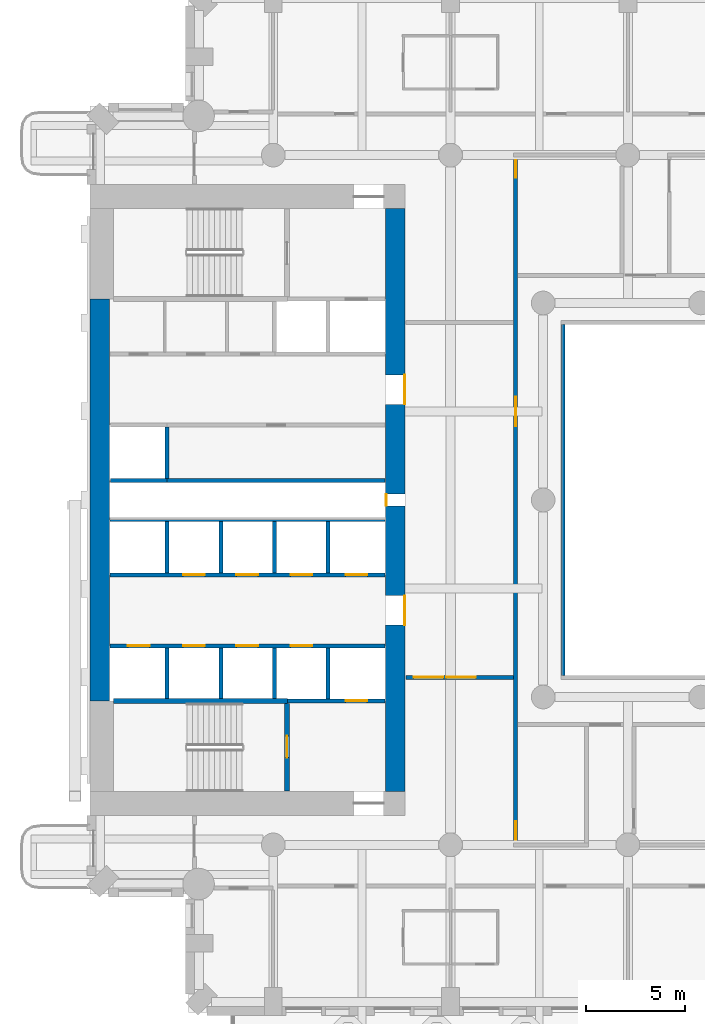
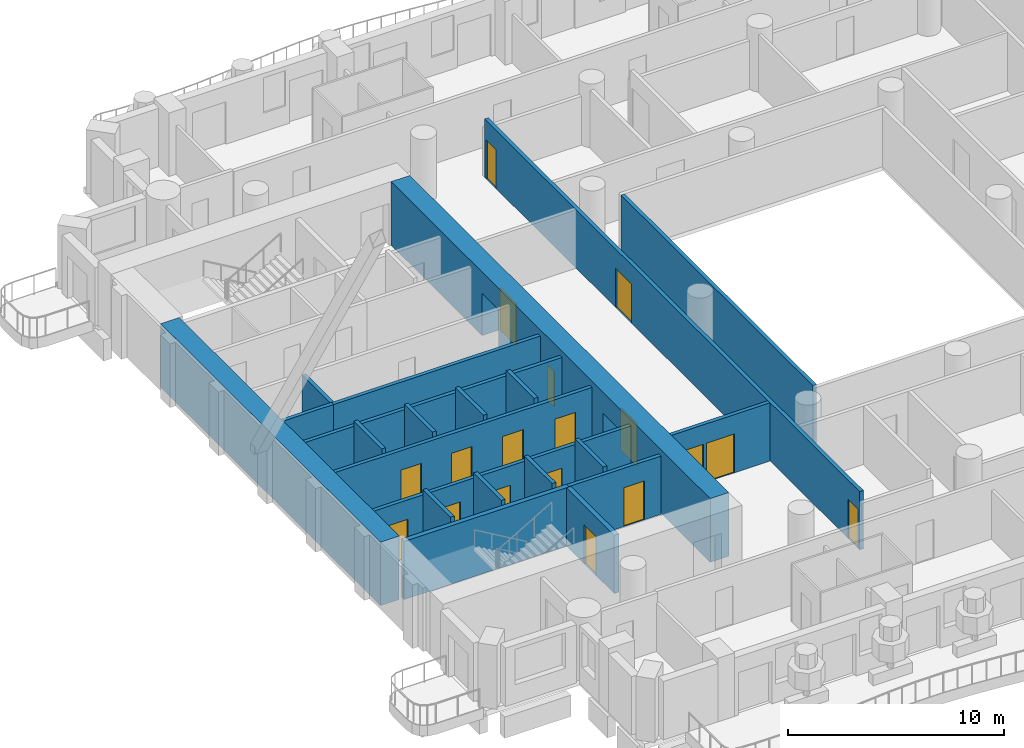
# One storey, part 4 of 20: 22 walls, 18 doors, 18 openings.
"""IFC4 building model written with IfcOpenShell, lengths in metres."""

from ifc_helpers import new_model, si_unit, direction, frame, frame_2d, origin, place, context, subcontext, project, spatial, rectangle, extrude, material, layer, layer_set, type_object, element, fill, save


model = new_model("IFC4")

# Units and contexts
model_context = context("Model", 3, precision=1e-05, world=origin(), true_north=direction((0.0, 1.0)))
body_context = subcontext(model_context, "Body", "Model", "MODEL_VIEW")
ifc_project = project(units=[si_unit("LENGTHUNIT", "METRE"), si_unit("AREAUNIT", "SQUARE_METRE"), si_unit("VOLUMEUNIT", "CUBIC_METRE"), si_unit("PLANEANGLEUNIT", "RADIAN"), si_unit("MASSUNIT", "GRAM", prefix="KILO")], contexts=[model_context])

# Site, building, storey
site_placement = place(None, origin())
site = spatial("IfcSite", under=ifc_project, at=site_placement, CompositionType="ELEMENT")
building_placement = place(site_placement, origin())
building = spatial("IfcBuilding", under=site, at=building_placement, Name="Cypress Arch Tower", CompositionType="ELEMENT")
storey_placement = place(building_placement, frame((0.0, 0.0, 73.5)))
storey = spatial("IfcBuildingStorey", under=building, at=storey_placement, Name="L12", CompositionType="ELEMENT", Elevation=73.5)

# Wall, openings, doors
ifc_material_1 = material(Name="Concrete C80/95", Category="concrete")
ifc_layer_1 = layer(ifc_material_1, 1.0)
ifc_layer_set_1 = layer_set([ifc_layer_1], Name="Core wall CW1000 C80/95")
wall_type_1 = type_object("IfcWallType", Name="Core wall CW1000 C80/95", PredefinedType="SHEAR", material=ifc_layer_set_1)
wall_1_placement = place(storey_placement, frame((-14.5, -14.800048828125, 0.0), z_axis=(0.0, 0.0, 1.0), x_axis=(0.0, 1.0, 0.0)))
wall_1 = element("IfcWall", 1, at=wall_1_placement, inside=storey, type_object=wall_type_1, Name="Core wall", PredefinedType="SHEAR", context=body_context, shape_type="SweptSolid", body=[
    extrude(rectangle(XDim=29.60009765625, YDim=1.0, at=frame_2d((14.800048828125, 0.0))), origin(), (0.0, 0.0, 1.0), 3.60009765625),
])
opening_1_placement = place(wall_1_placement, frame((8.449951171875, 0.0, 0.0)))
opening_1 = element("IfcOpeningElement", 2, at=opening_1_placement, cuts=wall_1, Name="Opening D07", PredefinedType="OPENING", context=body_context, shape_type="SweptSolid", body=[
    extrude(rectangle(XDim=1.5, YDim=2.39990234375, at=frame_2d((0.75, 1.199951171875))), frame((0.0, 0.510009765625, 0.0), z_axis=(0.0, -1.0, 0.0), x_axis=(1.0, 0.0, 0.0)), (0.0, 0.0, 1.0), 1.02001953125),
])
opening_2_placement = place(wall_1_placement, frame((19.64990234375, 0.0, 0.0)))
opening_2 = element("IfcOpeningElement", 3, at=opening_2_placement, cuts=wall_1, Name="Opening D07", PredefinedType="OPENING", context=body_context, shape_type="SweptSolid", body=[
    extrude(rectangle(XDim=1.5, YDim=2.39990234375, at=frame_2d((0.75, 1.199951171875))), frame((0.0, 0.510009765625, 0.0), z_axis=(0.0, -1.0, 0.0), x_axis=(1.0, 0.0, 0.0)), (0.0, 0.0, 1.0), 1.02001953125),
])
opening_3_placement = place(wall_1_placement, frame((14.5, 0.0, 0.0)))
opening_3 = element("IfcOpeningElement", 4, at=opening_3_placement, cuts=wall_1, Name="Opening D08", PredefinedType="OPENING", context=body_context, shape_type="SweptSolid", body=[
    extrude(rectangle(XDim=0.60009765625, YDim=2.0, at=frame_2d((0.300048828125, 1.0))), frame((0.0, 0.510009765625, 0.0), z_axis=(0.0, -1.0, 0.0), x_axis=(1.0, 0.0, 0.0)), (0.0, 0.0, 1.0), 1.02001953125),
])
ifc_material_2 = material(Name="Steel framed glazed door, fire resisting", Category="steel")
door_type_1 = type_object("IfcDoorType", Name="Lobby door D07 1500x2400", OperationType="DOUBLE_DOOR_SINGLE_SWING", PredefinedType="DOOR", material=ifc_material_2)
door_1_placement = place(opening_1_placement, origin())
door_1 = element("IfcDoor", 5, at=door_1_placement, inside=storey, type_object=door_type_1, Name="Lobby door", OperationType="DOUBLE_DOOR_SINGLE_SWING", OverallHeight=2.39990234375, OverallWidth=1.5, PredefinedType="DOOR", context=body_context, shape_type="SweptSolid", body=[
    extrude(rectangle(XDim=1.5, YDim=2.39990234375, at=frame_2d((0.75, 1.199951171875))), frame((0.0, -0.44482421875, 0.0), z_axis=(0.0, -1.0, 0.0), x_axis=(1.0, 0.0, 0.0)), (0.0, 0.0, 1.0), 0.050048828125),
])
fill(opening_1, door_1)
door_2_placement = place(opening_2_placement, origin())
door_2 = element("IfcDoor", 6, at=door_2_placement, inside=storey, type_object=door_type_1, Name="Lobby door", OperationType="DOUBLE_DOOR_SINGLE_SWING", OverallHeight=2.39990234375, OverallWidth=1.5, PredefinedType="DOOR", context=body_context, shape_type="SweptSolid", body=[
    extrude(rectangle(XDim=1.5, YDim=2.39990234375, at=frame_2d((0.75, 1.199951171875))), frame((0.0, -0.44482421875, 0.0), z_axis=(0.0, -1.0, 0.0), x_axis=(1.0, 0.0, 0.0)), (0.0, 0.0, 1.0), 0.050048828125),
])
fill(opening_2, door_2)
ifc_material_3 = material(Name="Steel access door, fire resisting", Category="steel")
door_type_2 = type_object("IfcDoorType", Name="Riser access door D08 600x2000", OperationType="SINGLE_SWING_LEFT", PredefinedType="DOOR", material=ifc_material_3)
door_3_placement = place(opening_3_placement, origin())
door_3 = element("IfcDoor", 7, at=door_3_placement, inside=storey, type_object=door_type_2, Name="Riser access door", OperationType="SINGLE_SWING_RIGHT", OverallHeight=2.0, OverallWidth=0.60009765625, PredefinedType="DOOR", context=body_context, shape_type="SweptSolid", body=[
    extrude(rectangle(XDim=0.60009765625, YDim=2.0, at=frame_2d((0.300048828125, 1.0))), frame((0.0, 0.4951171875, 0.0), z_axis=(0.0, -1.0, 0.0), x_axis=(1.0, 0.0, 0.0)), (0.0, 0.0, 1.0), 0.050048828125),
])
fill(opening_3, door_3)

# Wall
wall_2_placement = place(storey_placement, frame((-29.5, -10.199951171875, 0.0), z_axis=(0.0, 0.0, 1.0), x_axis=(0.0, 1.0, 0.0)))
element("IfcWall", 8, at=wall_2_placement, inside=storey, type_object=wall_type_1, Name="Core wall", PredefinedType="SHEAR", context=body_context, shape_type="SweptSolid", body=[
    extrude(rectangle(XDim=20.39990234375, YDim=1.0, at=frame_2d((10.199951171875, 0.0))), origin(), (0.0, 0.0, 1.0), 3.60009765625),
])

# Wall, openings, doors
ifc_material_4 = material(Name="Concrete blockwork, plastered, rated", Category="masonry")
ifc_layer_2 = layer(ifc_material_4, 0.199951171875)
ifc_layer_set_2 = layer_set([ifc_layer_2], Name="Corridor wall FW200")
wall_type_2 = type_object("IfcWallType", Name="Corridor wall FW200", PredefinedType="PARTITIONING", material=ifc_layer_set_2)
wall_3_placement = place(storey_placement, frame((-13.969970703125, -9.0, 0.0), z_axis=(0.0, 0.0, 1.0), x_axis=(1.0, 0.0, 0.0)))
wall_3 = element("IfcWall", 9, at=wall_3_placement, inside=storey, type_object=wall_type_2, Name="Corridor wall", PredefinedType="PARTITIONING", context=body_context, shape_type="SweptSolid", body=[
    extrude(rectangle(XDim=5.469970703125, YDim=0.199951171875, at=frame_2d((2.73486328125, 0.0))), origin(), (0.0, 0.0, 1.0), 3.300048828125),
])
opening_4_placement = place(wall_3_placement, frame((0.39990234375, 0.0, 0.0)))
opening_4 = element("IfcOpeningElement", 10, at=opening_4_placement, cuts=wall_3, Name="Opening D04", PredefinedType="OPENING", context=body_context, shape_type="SweptSolid", body=[
    extrude(rectangle(XDim=1.5, YDim=2.199951171875, at=frame_2d((0.75, 1.10009765625))), frame((0.0, 0.10986328125, 0.0), z_axis=(0.0, -1.0, 0.0), x_axis=(1.0, 0.0, 0.0)), (0.0, 0.0, 1.0), 0.219970703125),
])
opening_5_placement = place(wall_3_placement, frame((2.050048828125, 0.0, 0.0)))
opening_5 = element("IfcOpeningElement", 11, at=opening_5_placement, cuts=wall_3, Name="Opening D04", PredefinedType="OPENING", context=body_context, shape_type="SweptSolid", body=[
    extrude(rectangle(XDim=1.5, YDim=2.199951171875, at=frame_2d((0.75, 1.10009765625))), frame((0.0, 0.10986328125, 0.0), z_axis=(0.0, -1.0, 0.0), x_axis=(1.0, 0.0, 0.0)), (0.0, 0.0, 1.0), 0.219970703125),
])
ifc_material_5 = material(Name="Timber double door", Category="wood")
door_type_3 = type_object("IfcDoorType", Name="Double door D04 1500x2200", OperationType="DOUBLE_DOOR_SINGLE_SWING", PredefinedType="DOOR", material=ifc_material_5)
door_4_placement = place(opening_4_placement, origin())
door_4 = element("IfcDoor", 12, at=door_4_placement, inside=storey, type_object=door_type_3, Name="Double door", OperationType="DOUBLE_DOOR_SINGLE_SWING", OverallHeight=2.199951171875, OverallWidth=1.5, PredefinedType="DOOR", context=body_context, shape_type="SweptSolid", body=[
    extrude(rectangle(XDim=1.5, YDim=2.199951171875, at=frame_2d((0.75, 1.10009765625))), frame((0.0, 0.02490234375, 0.0), z_axis=(0.0, -1.0, 0.0), x_axis=(1.0, 0.0, 0.0)), (0.0, 0.0, 1.0), 0.050048828125),
])
fill(opening_4, door_4)
door_5_placement = place(opening_5_placement, origin())
door_5 = element("IfcDoor", 13, at=door_5_placement, inside=storey, type_object=door_type_3, Name="Double door", OperationType="DOUBLE_DOOR_SINGLE_SWING", OverallHeight=2.199951171875, OverallWidth=1.5, PredefinedType="DOOR", context=body_context, shape_type="SweptSolid", body=[
    extrude(rectangle(XDim=1.5, YDim=2.199951171875, at=frame_2d((0.75, 1.10009765625))), frame((0.0, 0.02490234375, 0.0), z_axis=(0.0, -1.0, 0.0), x_axis=(1.0, 0.0, 0.0)), (0.0, 0.0, 1.0), 0.050048828125),
])
fill(opening_5, door_5)

wall_4_placement = place(storey_placement, frame((-8.39990234375, -17.39990234375, 0.0), z_axis=(0.0, 0.0, 1.0), x_axis=(0.0, 1.0, 0.0)))
wall_4 = element("IfcWall", 14, at=wall_4_placement, inside=storey, type_object=wall_type_2, Name="Corridor wall", PredefinedType="PARTITIONING", context=body_context, shape_type="SweptSolid", body=[
    extrude(rectangle(XDim=34.7998046875, YDim=0.199951171875, at=frame_2d((17.39990234375, 0.0))), origin(), (0.0, 0.0, 1.0), 3.300048828125),
])
opening_6_placement = place(wall_4_placement, frame((21.14990234375, 0.0, 0.0)))
opening_6 = element("IfcOpeningElement", 15, at=opening_6_placement, cuts=wall_4, Name="Opening D04", PredefinedType="OPENING", context=body_context, shape_type="SweptSolid", body=[
    extrude(rectangle(XDim=1.5, YDim=2.199951171875, at=frame_2d((0.75, 1.10009765625))), frame((0.0, 0.10986328125, 0.0), z_axis=(0.0, -1.0, 0.0), x_axis=(1.0, 0.0, 0.0)), (0.0, 0.0, 1.0), 0.219970703125),
])
opening_7_placement = place(wall_4_placement, frame((33.75, 0.0, 0.0)))
opening_7 = element("IfcOpeningElement", 16, at=opening_7_placement, cuts=wall_4, Name="Opening D05", PredefinedType="OPENING", context=body_context, shape_type="SweptSolid", body=[
    extrude(rectangle(XDim=0.89990234375, YDim=2.199951171875, at=frame_2d((0.449951171875, 1.10009765625))), frame((0.0, 0.10986328125, 0.0), z_axis=(0.0, -1.0, 0.0), x_axis=(1.0, 0.0, 0.0)), (0.0, 0.0, 1.0), 0.219970703125),
])
opening_8_placement = place(wall_4_placement, frame((0.14990234375, 0.0, 0.0)))
opening_8 = element("IfcOpeningElement", 17, at=opening_8_placement, cuts=wall_4, Name="Opening D02", PredefinedType="OPENING", context=body_context, shape_type="SweptSolid", body=[
    extrude(rectangle(XDim=0.949951171875, YDim=2.199951171875, at=frame_2d((0.47509765625, 1.10009765625))), frame((0.0, 0.10986328125, 0.0), z_axis=(0.0, -1.0, 0.0), x_axis=(1.0, 0.0, 0.0)), (0.0, 0.0, 1.0), 0.219970703125),
])
door_6_placement = place(opening_6_placement, origin())
door_6 = element("IfcDoor", 18, at=door_6_placement, inside=storey, type_object=door_type_3, Name="Double door", OperationType="DOUBLE_DOOR_SINGLE_SWING", OverallHeight=2.199951171875, OverallWidth=1.5, PredefinedType="DOOR", context=body_context, shape_type="SweptSolid", body=[
    extrude(rectangle(XDim=1.5, YDim=2.199951171875, at=frame_2d((0.75, 1.10009765625))), frame((0.0, 0.02490234375, 0.0), z_axis=(0.0, -1.0, 0.0), x_axis=(1.0, 0.0, 0.0)), (0.0, 0.0, 1.0), 0.050048828125),
])
fill(opening_6, door_6)
ifc_material_6 = material(Name="Timber flush door, fire resisting", Category="wood")
door_type_4 = type_object("IfcDoorType", Name="Room door D02 950x2200", OperationType="SINGLE_SWING_LEFT", PredefinedType="DOOR", material=ifc_material_6)
door_7_placement = place(opening_8_placement, origin())
door_7 = element("IfcDoor", 19, at=door_7_placement, inside=storey, type_object=door_type_4, Name="Room door", OperationType="SINGLE_SWING_RIGHT", OverallHeight=2.199951171875, OverallWidth=0.949951171875, PredefinedType="DOOR", context=body_context, shape_type="SweptSolid", body=[
    extrude(rectangle(XDim=0.949951171875, YDim=2.199951171875, at=frame_2d((0.47509765625, 1.10009765625))), frame((0.0, 0.02490234375, 0.0), z_axis=(0.0, -1.0, 0.0), x_axis=(1.0, 0.0, 0.0)), (0.0, 0.0, 1.0), 0.050048828125),
])
fill(opening_8, door_7)
ifc_material_7 = material(Name="Timber flush door", Category="wood")
door_type_5 = type_object("IfcDoorType", Name="Service door D05 900x2200", OperationType="SINGLE_SWING_LEFT", PredefinedType="DOOR", material=ifc_material_7)
door_8_placement = place(opening_7_placement, origin())
door_8 = element("IfcDoor", 20, at=door_8_placement, inside=storey, type_object=door_type_5, Name="Service door", OperationType="SINGLE_SWING_LEFT", OverallHeight=2.199951171875, OverallWidth=0.89990234375, PredefinedType="DOOR", context=body_context, shape_type="SweptSolid", body=[
    extrude(rectangle(XDim=0.89990234375, YDim=2.199951171875, at=frame_2d((0.449951171875, 1.10009765625))), frame((0.0, 0.02490234375, 0.0), z_axis=(0.0, -1.0, 0.0), x_axis=(1.0, 0.0, 0.0)), (0.0, 0.0, 1.0), 0.050048828125),
])
fill(opening_7, door_8)

# Walls
wall_5_placement = place(storey_placement, frame((-6.0, -8.89990234375, 0.0), z_axis=(0.0, 0.0, 1.0), x_axis=(0.0, 1.0, 0.0)))
element("IfcWall", 21, at=wall_5_placement, inside=storey, type_object=wall_type_2, Name="Corridor wall", PredefinedType="PARTITIONING", context=body_context, shape_type="SweptSolid", body=[
    extrude(rectangle(XDim=17.7998046875, YDim=0.199951171875, at=frame_2d((8.89990234375, 0.0))), origin(), (0.0, 0.0, 1.0), 3.300048828125),
])
ifc_material_8 = material(Name="Reinforced blockwork, plastered, rated", Category="masonry")
ifc_layer_3 = layer(ifc_material_8, 0.199951171875)
ifc_layer_set_3 = layer_set([ifc_layer_3], Name="Plant and riser wall PL200")
wall_type_3 = type_object("IfcWallType", Name="Plant and riser wall PL200", PredefinedType="PARTITIONING", material=ifc_layer_set_3)
wall_6_placement = place(storey_placement, frame((-26.10009765625, 1.0, 0.0), z_axis=(0.0, 0.0, 1.0), x_axis=(1.0, 0.0, 0.0)))
element("IfcWall", 22, at=wall_6_placement, inside=storey, type_object=wall_type_3, Name="Plant and riser wall", PredefinedType="PARTITIONING", context=body_context, shape_type="SweptSolid", body=[
    extrude(rectangle(XDim=11.070068359375, YDim=0.199951171875, at=frame_2d((5.53515625, 0.0))), origin(), (0.0, 0.0, 1.0), 3.300048828125),
])

# Wall, openings, doors
ifc_material_9 = material(Name="Concrete C50/60", Category="concrete")
ifc_layer_4 = layer(ifc_material_9, 0.199951171875)
ifc_layer_set_4 = layer_set([ifc_layer_4], Name="Shaft wall SH200")
wall_type_4 = type_object("IfcWallType", Name="Shaft wall SH200", PredefinedType="SHEAR", material=ifc_layer_set_4)
wall_7_placement = place(storey_placement, frame((-28.969970703125, -7.39990234375, 0.0), z_axis=(0.0, 0.0, 1.0), x_axis=(1.0, 0.0, 0.0)))
wall_7 = element("IfcWall", 23, at=wall_7_placement, inside=storey, type_object=wall_type_4, Name="Shaft wall", PredefinedType="SHEAR", context=body_context, shape_type="SweptSolid", body=[
    extrude(rectangle(XDim=13.93994140625, YDim=0.199951171875, at=frame_2d((6.969970703125, 0.0))), origin(), (0.0, 0.0, 1.0), 3.300048828125),
])
opening_9_placement = place(wall_7_placement, frame((0.89990234375, 0.0, 0.0)))
opening_9 = element("IfcOpeningElement", 24, at=opening_9_placement, cuts=wall_7, Name="Opening LD-LR1", PredefinedType="OPENING", context=body_context, shape_type="SweptSolid", body=[
    extrude(rectangle(XDim=1.10009765625, YDim=2.199951171875, at=frame_2d((0.550048828125, 1.10009765625))), frame((0.0, 0.10986328125, 0.0), z_axis=(0.0, -1.0, 0.0), x_axis=(1.0, 0.0, 0.0)), (0.0, 0.0, 1.0), 0.219970703125),
])
opening_10_placement = place(wall_7_placement, frame((3.699951171875, 0.0, 0.0)))
opening_10 = element("IfcOpeningElement", 25, at=opening_10_placement, cuts=wall_7, Name="Opening LD-LR2", PredefinedType="OPENING", context=body_context, shape_type="SweptSolid", body=[
    extrude(rectangle(XDim=1.10009765625, YDim=2.199951171875, at=frame_2d((0.550048828125, 1.10009765625))), frame((0.0, 0.10986328125, 0.0), z_axis=(0.0, -1.0, 0.0), x_axis=(1.0, 0.0, 0.0)), (0.0, 0.0, 1.0), 0.219970703125),
])
opening_11_placement = place(wall_7_placement, frame((6.39990234375, 0.0, 0.0)))
opening_11 = element("IfcOpeningElement", 26, at=opening_11_placement, cuts=wall_7, Name="Opening LD-LR3", PredefinedType="OPENING", context=body_context, shape_type="SweptSolid", body=[
    extrude(rectangle(XDim=1.10009765625, YDim=2.199951171875, at=frame_2d((0.550048828125, 1.10009765625))), frame((0.0, 0.10986328125, 0.0), z_axis=(0.0, -1.0, 0.0), x_axis=(1.0, 0.0, 0.0)), (0.0, 0.0, 1.0), 0.219970703125),
])
opening_12_placement = place(wall_7_placement, frame((9.14990234375, 0.0, 0.0)))
opening_12 = element("IfcOpeningElement", 27, at=opening_12_placement, cuts=wall_7, Name="Opening LD-LR4", PredefinedType="OPENING", context=body_context, shape_type="SweptSolid", body=[
    extrude(rectangle(XDim=1.10009765625, YDim=2.199951171875, at=frame_2d((0.550048828125, 1.10009765625))), frame((0.0, 0.10986328125, 0.0), z_axis=(0.0, -1.0, 0.0), x_axis=(1.0, 0.0, 0.0)), (0.0, 0.0, 1.0), 0.219970703125),
])
ifc_material_10 = material(Name="Stainless steel centre-opening landing door, rated", Category="steel")
door_type_6 = type_object("IfcDoorType", Name="Lift landing door LD 1100x2200", OperationType="DOUBLE_DOOR_SLIDING", PredefinedType="DOOR", material=ifc_material_10)
door_9_placement = place(opening_9_placement, origin())
door_9 = element("IfcDoor", 28, at=door_9_placement, inside=storey, type_object=door_type_6, Name="Lift landing doors LR1", OperationType="DOUBLE_DOOR_SLIDING", OverallHeight=2.199951171875, OverallWidth=1.10009765625, PredefinedType="DOOR", context=body_context, shape_type="SweptSolid", body=[
    extrude(rectangle(XDim=1.10009765625, YDim=2.199951171875, at=frame_2d((0.550048828125, 1.10009765625))), frame((0.0, 0.02490234375, 0.0), z_axis=(0.0, -1.0, 0.0), x_axis=(1.0, 0.0, 0.0)), (0.0, 0.0, 1.0), 0.050048828125),
])
fill(opening_9, door_9)
door_10_placement = place(opening_10_placement, origin())
door_10 = element("IfcDoor", 29, at=door_10_placement, inside=storey, type_object=door_type_6, Name="Lift landing doors LR2", OperationType="DOUBLE_DOOR_SLIDING", OverallHeight=2.199951171875, OverallWidth=1.10009765625, PredefinedType="DOOR", context=body_context, shape_type="SweptSolid", body=[
    extrude(rectangle(XDim=1.10009765625, YDim=2.199951171875, at=frame_2d((0.550048828125, 1.10009765625))), frame((0.0, 0.02490234375, 0.0), z_axis=(0.0, -1.0, 0.0), x_axis=(1.0, 0.0, 0.0)), (0.0, 0.0, 1.0), 0.050048828125),
])
fill(opening_10, door_10)
door_11_placement = place(opening_11_placement, origin())
door_11 = element("IfcDoor", 30, at=door_11_placement, inside=storey, type_object=door_type_6, Name="Lift landing doors LR3", OperationType="DOUBLE_DOOR_SLIDING", OverallHeight=2.199951171875, OverallWidth=1.10009765625, PredefinedType="DOOR", context=body_context, shape_type="SweptSolid", body=[
    extrude(rectangle(XDim=1.10009765625, YDim=2.199951171875, at=frame_2d((0.550048828125, 1.10009765625))), frame((0.0, 0.02490234375, 0.0), z_axis=(0.0, -1.0, 0.0), x_axis=(1.0, 0.0, 0.0)), (0.0, 0.0, 1.0), 0.050048828125),
])
fill(opening_11, door_11)
door_12_placement = place(opening_12_placement, origin())
door_12 = element("IfcDoor", 31, at=door_12_placement, inside=storey, type_object=door_type_6, Name="Lift landing doors LR4", OperationType="DOUBLE_DOOR_SLIDING", OverallHeight=2.199951171875, OverallWidth=1.10009765625, PredefinedType="DOOR", context=body_context, shape_type="SweptSolid", body=[
    extrude(rectangle(XDim=1.10009765625, YDim=2.199951171875, at=frame_2d((0.550048828125, 1.10009765625))), frame((0.0, 0.02490234375, 0.0), z_axis=(0.0, -1.0, 0.0), x_axis=(1.0, 0.0, 0.0)), (0.0, 0.0, 1.0), 0.050048828125),
])
fill(opening_12, door_12)

wall_8_placement = place(storey_placement, frame((-28.969970703125, -3.800048828125, 0.0), z_axis=(0.0, 0.0, 1.0), x_axis=(1.0, 0.0, 0.0)))
wall_8 = element("IfcWall", 32, at=wall_8_placement, inside=storey, type_object=wall_type_4, Name="Shaft wall", PredefinedType="SHEAR", context=body_context, shape_type="SweptSolid", body=[
    extrude(rectangle(XDim=13.93994140625, YDim=0.199951171875, at=frame_2d((6.969970703125, 0.0))), origin(), (0.0, 0.0, 1.0), 3.300048828125),
])
opening_13_placement = place(wall_8_placement, frame((3.699951171875, 0.0, 0.0)))
opening_13 = element("IfcOpeningElement", 33, at=opening_13_placement, cuts=wall_8, Name="Opening LD-LR5", PredefinedType="OPENING", context=body_context, shape_type="SweptSolid", body=[
    extrude(rectangle(XDim=1.10009765625, YDim=2.199951171875, at=frame_2d((0.550048828125, 1.10009765625))), frame((0.0, 0.10986328125, 0.0), z_axis=(0.0, -1.0, 0.0), x_axis=(1.0, 0.0, 0.0)), (0.0, 0.0, 1.0), 0.219970703125),
])
opening_14_placement = place(wall_8_placement, frame((6.39990234375, 0.0, 0.0)))
opening_14 = element("IfcOpeningElement", 34, at=opening_14_placement, cuts=wall_8, Name="Opening LD-LR6", PredefinedType="OPENING", context=body_context, shape_type="SweptSolid", body=[
    extrude(rectangle(XDim=1.10009765625, YDim=2.199951171875, at=frame_2d((0.550048828125, 1.10009765625))), frame((0.0, 0.10986328125, 0.0), z_axis=(0.0, -1.0, 0.0), x_axis=(1.0, 0.0, 0.0)), (0.0, 0.0, 1.0), 0.219970703125),
])
opening_15_placement = place(wall_8_placement, frame((9.14990234375, 0.0, 0.0)))
opening_15 = element("IfcOpeningElement", 35, at=opening_15_placement, cuts=wall_8, Name="Opening LD-LR7", PredefinedType="OPENING", context=body_context, shape_type="SweptSolid", body=[
    extrude(rectangle(XDim=1.10009765625, YDim=2.199951171875, at=frame_2d((0.550048828125, 1.10009765625))), frame((0.0, 0.10986328125, 0.0), z_axis=(0.0, -1.0, 0.0), x_axis=(1.0, 0.0, 0.0)), (0.0, 0.0, 1.0), 0.219970703125),
])
opening_16_placement = place(wall_8_placement, frame((11.949951171875, 0.0, 0.0)))
opening_16 = element("IfcOpeningElement", 36, at=opening_16_placement, cuts=wall_8, Name="Opening LD-LR8", PredefinedType="OPENING", context=body_context, shape_type="SweptSolid", body=[
    extrude(rectangle(XDim=1.10009765625, YDim=2.199951171875, at=frame_2d((0.550048828125, 1.10009765625))), frame((0.0, 0.10986328125, 0.0), z_axis=(0.0, -1.0, 0.0), x_axis=(1.0, 0.0, 0.0)), (0.0, 0.0, 1.0), 0.219970703125),
])
door_13_placement = place(opening_13_placement, origin())
door_13 = element("IfcDoor", 37, at=door_13_placement, inside=storey, type_object=door_type_6, Name="Lift landing doors LR5", OperationType="DOUBLE_DOOR_SLIDING", OverallHeight=2.199951171875, OverallWidth=1.10009765625, PredefinedType="DOOR", context=body_context, shape_type="SweptSolid", body=[
    extrude(rectangle(XDim=1.10009765625, YDim=2.199951171875, at=frame_2d((0.550048828125, 1.10009765625))), frame((0.0, 0.02490234375, 0.0), z_axis=(0.0, -1.0, 0.0), x_axis=(1.0, 0.0, 0.0)), (0.0, 0.0, 1.0), 0.050048828125),
])
fill(opening_13, door_13)
door_14_placement = place(opening_14_placement, origin())
door_14 = element("IfcDoor", 38, at=door_14_placement, inside=storey, type_object=door_type_6, Name="Lift landing doors LR6", OperationType="DOUBLE_DOOR_SLIDING", OverallHeight=2.199951171875, OverallWidth=1.10009765625, PredefinedType="DOOR", context=body_context, shape_type="SweptSolid", body=[
    extrude(rectangle(XDim=1.10009765625, YDim=2.199951171875, at=frame_2d((0.550048828125, 1.10009765625))), frame((0.0, 0.02490234375, 0.0), z_axis=(0.0, -1.0, 0.0), x_axis=(1.0, 0.0, 0.0)), (0.0, 0.0, 1.0), 0.050048828125),
])
fill(opening_14, door_14)
door_15_placement = place(opening_15_placement, origin())
door_15 = element("IfcDoor", 39, at=door_15_placement, inside=storey, type_object=door_type_6, Name="Lift landing doors LR7", OperationType="DOUBLE_DOOR_SLIDING", OverallHeight=2.199951171875, OverallWidth=1.10009765625, PredefinedType="DOOR", context=body_context, shape_type="SweptSolid", body=[
    extrude(rectangle(XDim=1.10009765625, YDim=2.199951171875, at=frame_2d((0.550048828125, 1.10009765625))), frame((0.0, 0.02490234375, 0.0), z_axis=(0.0, -1.0, 0.0), x_axis=(1.0, 0.0, 0.0)), (0.0, 0.0, 1.0), 0.050048828125),
])
fill(opening_15, door_15)
door_16_placement = place(opening_16_placement, origin())
door_16 = element("IfcDoor", 40, at=door_16_placement, inside=storey, type_object=door_type_6, Name="Lift landing doors LR8", OperationType="DOUBLE_DOOR_SLIDING", OverallHeight=2.199951171875, OverallWidth=1.10009765625, PredefinedType="DOOR", context=body_context, shape_type="SweptSolid", body=[
    extrude(rectangle(XDim=1.10009765625, YDim=2.199951171875, at=frame_2d((0.550048828125, 1.10009765625))), frame((0.0, 0.02490234375, 0.0), z_axis=(0.0, -1.0, 0.0), x_axis=(1.0, 0.0, 0.0)), (0.0, 0.0, 1.0), 0.050048828125),
])
fill(opening_16, door_16)

# Walls
wall_9_placement = place(storey_placement, frame((-28.969970703125, -1.0, 0.0), z_axis=(0.0, 0.0, 1.0), x_axis=(1.0, 0.0, 0.0)))
element("IfcWall", 41, at=wall_9_placement, inside=storey, type_object=wall_type_4, Name="Shaft wall", PredefinedType="SHEAR", context=body_context, shape_type="SweptSolid", body=[
    extrude(rectangle(XDim=13.93994140625, YDim=0.199951171875, at=frame_2d((6.969970703125, 0.0))), origin(), (0.0, 0.0, 1.0), 3.300048828125),
])
wall_10_placement = place(storey_placement, frame((-28.969970703125, 1.0, 0.0), z_axis=(0.0, 0.0, 1.0), x_axis=(1.0, 0.0, 0.0)))
element("IfcWall", 42, at=wall_10_placement, inside=storey, type_object=wall_type_4, Name="Shaft wall", PredefinedType="SHEAR", context=body_context, shape_type="SweptSolid", body=[
    extrude(rectangle(XDim=2.869873046875, YDim=0.199951171875, at=frame_2d((1.43505859375, 0.0))), origin(), (0.0, 0.0, 1.0), 3.300048828125),
])
wall_11_placement = place(storey_placement, frame((-26.080078125, -10.074951171875, 0.0), z_axis=(0.0, 0.0, 1.0), x_axis=(0.0, 1.0, 0.0)))
element("IfcWall", 43, at=wall_11_placement, inside=storey, type_object=wall_type_4, Name="Shaft wall", PredefinedType="SHEAR", context=body_context, shape_type="SweptSolid", body=[
    extrude(rectangle(XDim=2.574951171875, YDim=0.199951171875, at=frame_2d((1.28759765625, 0.0))), origin(), (0.0, 0.0, 1.0), 3.60009765625),
])
wall_12_placement = place(storey_placement, frame((-26.080078125, -3.699951171875, 0.0), z_axis=(0.0, 0.0, 1.0), x_axis=(0.0, 1.0, 0.0)))
element("IfcWall", 44, at=wall_12_placement, inside=storey, type_object=wall_type_4, Name="Shaft wall", PredefinedType="SHEAR", context=body_context, shape_type="SweptSolid", body=[
    extrude(rectangle(XDim=2.599853515625, YDim=0.199951171875, at=frame_2d((1.2998046875, 0.0))), origin(), (0.0, 0.0, 1.0), 3.60009765625),
])
wall_13_placement = place(storey_placement, frame((-26.080078125, 1.10009765625, 0.0), z_axis=(0.0, 0.0, 1.0), x_axis=(0.0, 1.0, 0.0)))
element("IfcWall", 45, at=wall_13_placement, inside=storey, type_object=wall_type_4, Name="Shaft wall", PredefinedType="SHEAR", context=body_context, shape_type="SweptSolid", body=[
    extrude(rectangle(XDim=2.599853515625, YDim=0.199951171875, at=frame_2d((1.2998046875, 0.0))), origin(), (0.0, 0.0, 1.0), 3.300048828125),
])
wall_14_placement = place(storey_placement, frame((-23.360107421875, -10.074951171875, 0.0), z_axis=(0.0, 0.0, 1.0), x_axis=(0.0, 1.0, 0.0)))
element("IfcWall", 46, at=wall_14_placement, inside=storey, type_object=wall_type_4, Name="Shaft wall", PredefinedType="SHEAR", context=body_context, shape_type="SweptSolid", body=[
    extrude(rectangle(XDim=2.574951171875, YDim=0.199951171875, at=frame_2d((1.28759765625, 0.0))), origin(), (0.0, 0.0, 1.0), 3.60009765625),
])
wall_15_placement = place(storey_placement, frame((-23.360107421875, -3.699951171875, 0.0), z_axis=(0.0, 0.0, 1.0), x_axis=(0.0, 1.0, 0.0)))
element("IfcWall", 47, at=wall_15_placement, inside=storey, type_object=wall_type_4, Name="Shaft wall", PredefinedType="SHEAR", context=body_context, shape_type="SweptSolid", body=[
    extrude(rectangle(XDim=2.599853515625, YDim=0.199951171875, at=frame_2d((1.2998046875, 0.0))), origin(), (0.0, 0.0, 1.0), 3.60009765625),
])
wall_16_placement = place(storey_placement, frame((-20.639892578125, -10.074951171875, 0.0), z_axis=(0.0, 0.0, 1.0), x_axis=(0.0, 1.0, 0.0)))
element("IfcWall", 48, at=wall_16_placement, inside=storey, type_object=wall_type_4, Name="Shaft wall", PredefinedType="SHEAR", context=body_context, shape_type="SweptSolid", body=[
    extrude(rectangle(XDim=2.574951171875, YDim=0.199951171875, at=frame_2d((1.28759765625, 0.0))), origin(), (0.0, 0.0, 1.0), 3.60009765625),
])
wall_17_placement = place(storey_placement, frame((-20.639892578125, -3.699951171875, 0.0), z_axis=(0.0, 0.0, 1.0), x_axis=(0.0, 1.0, 0.0)))
element("IfcWall", 49, at=wall_17_placement, inside=storey, type_object=wall_type_4, Name="Shaft wall", PredefinedType="SHEAR", context=body_context, shape_type="SweptSolid", body=[
    extrude(rectangle(XDim=2.599853515625, YDim=0.199951171875, at=frame_2d((1.2998046875, 0.0))), origin(), (0.0, 0.0, 1.0), 3.60009765625),
])

# Wall, opening, door
wall_18_placement = place(storey_placement, frame((-19.97998046875, -10.199951171875, 0.0), z_axis=(0.0, 0.0, 1.0), x_axis=(1.0, 0.0, 0.0)))
wall_18 = element("IfcWall", 50, at=wall_18_placement, inside=storey, type_object=wall_type_4, Name="Shaft wall", PredefinedType="SHEAR", context=body_context, shape_type="SweptSolid", body=[
    extrude(rectangle(XDim=4.949951171875, YDim=0.199951171875, at=frame_2d((2.47509765625, 0.0))), origin(), (0.0, 0.0, 1.0), 3.300048828125),
])
opening_17_placement = place(wall_18_placement, frame((2.949951171875, 0.0, 0.0)))
opening_17 = element("IfcOpeningElement", 51, at=opening_17_placement, cuts=wall_18, Name="Opening LD-FL1", PredefinedType="OPENING", context=body_context, shape_type="SweptSolid", body=[
    extrude(rectangle(XDim=1.10009765625, YDim=2.199951171875, at=frame_2d((0.550048828125, 1.10009765625))), frame((0.0, 0.10986328125, 0.0), z_axis=(0.0, -1.0, 0.0), x_axis=(1.0, 0.0, 0.0)), (0.0, 0.0, 1.0), 0.219970703125),
])
door_17_placement = place(opening_17_placement, origin())
door_17 = element("IfcDoor", 52, at=door_17_placement, inside=storey, type_object=door_type_6, Name="Lift landing doors FL1", OperationType="DOUBLE_DOOR_SLIDING", OverallHeight=2.199951171875, OverallWidth=1.10009765625, PredefinedType="DOOR", context=body_context, shape_type="SweptSolid", body=[
    extrude(rectangle(XDim=1.10009765625, YDim=2.199951171875, at=frame_2d((0.550048828125, 1.10009765625))), frame((0.0, 0.02490234375, 0.0), z_axis=(0.0, -1.0, 0.0), x_axis=(1.0, 0.0, 0.0)), (0.0, 0.0, 1.0), 0.050048828125),
])
fill(opening_17, door_17)

# Walls
wall_19_placement = place(storey_placement, frame((-17.919921875, -10.10009765625, 0.0), z_axis=(0.0, 0.0, 1.0), x_axis=(0.0, 1.0, 0.0)))
element("IfcWall", 53, at=wall_19_placement, inside=storey, type_object=wall_type_4, Name="Shaft wall", PredefinedType="SHEAR", context=body_context, shape_type="SweptSolid", body=[
    extrude(rectangle(XDim=2.60009765625, YDim=0.199951171875, at=frame_2d((1.300048828125, 0.0))), origin(), (0.0, 0.0, 1.0), 3.60009765625),
])
wall_20_placement = place(storey_placement, frame((-17.919921875, -3.699951171875, 0.0), z_axis=(0.0, 0.0, 1.0), x_axis=(0.0, 1.0, 0.0)))
element("IfcWall", 54, at=wall_20_placement, inside=storey, type_object=wall_type_4, Name="Shaft wall", PredefinedType="SHEAR", context=body_context, shape_type="SweptSolid", body=[
    extrude(rectangle(XDim=2.599853515625, YDim=0.199951171875, at=frame_2d((1.2998046875, 0.0))), origin(), (0.0, 0.0, 1.0), 3.60009765625),
])
ifc_material_11 = material(Name="Concrete C50/60", Category="concrete")
ifc_layer_5 = layer(ifc_material_11, 0.25)
ifc_layer_set_5 = layer_set([ifc_layer_5], Name="Stair enclosure wall SW250")
wall_type_5 = type_object("IfcWallType", Name="Stair enclosure wall SW250", PredefinedType="SHEAR", material=ifc_layer_set_5)
wall_21_placement = place(storey_placement, frame((-28.81005859375, -10.199951171875, 0.0), z_axis=(0.0, 0.0, 1.0), x_axis=(1.0, 0.0, 0.0)))
element("IfcWall", 55, at=wall_21_placement, inside=storey, type_object=wall_type_5, Name="Stair enclosure wall", PredefinedType="SHEAR", context=body_context, shape_type="SweptSolid", body=[
    extrude(rectangle(XDim=8.830078125, YDim=0.25, at=frame_2d((4.4150390625, 0.0))), origin(), (0.0, 0.0, 1.0), 3.300048828125),
])

# Wall, opening, door
wall_22_placement = place(storey_placement, frame((-20.0, -14.77001953125, 0.0), z_axis=(0.0, 0.0, 1.0), x_axis=(0.0, 1.0, 0.0)))
wall_22 = element("IfcWall", 56, at=wall_22_placement, inside=storey, type_object=wall_type_5, Name="Stair enclosure wall", PredefinedType="SHEAR", context=body_context, shape_type="SweptSolid", body=[
    extrude(rectangle(XDim=4.445068359375, YDim=0.25, at=frame_2d((2.22265625, 0.0))), origin(), (0.0, 0.0, 1.0), 3.300048828125),
])
opening_18_placement = place(wall_22_placement, frame((1.699951171875, 0.0, 0.0)))
opening_18 = element("IfcOpeningElement", 57, at=opening_18_placement, cuts=wall_22, Name="Opening D06", PredefinedType="OPENING", context=body_context, shape_type="SweptSolid", body=[
    extrude(rectangle(XDim=1.10009765625, YDim=2.199951171875, at=frame_2d((0.550048828125, 1.10009765625))), frame((0.0, 0.135009765625, 0.0), z_axis=(0.0, -1.0, 0.0), x_axis=(1.0, 0.0, 0.0)), (0.0, 0.0, 1.0), 0.27001953125),
])
ifc_material_12 = material(Name="Steel door, fire resisting, panic bar", Category="steel")
door_type_7 = type_object("IfcDoorType", Name="Stair door D06 1100x2200", OperationType="SINGLE_SWING_LEFT", PredefinedType="DOOR", material=ifc_material_12)
door_18_placement = place(opening_18_placement, origin())
door_18 = element("IfcDoor", 58, at=door_18_placement, inside=storey, type_object=door_type_7, Name="Stair door", OperationType="SINGLE_SWING_RIGHT", OverallHeight=2.199951171875, OverallWidth=1.10009765625, PredefinedType="DOOR", context=body_context, shape_type="SweptSolid", body=[
    extrude(rectangle(XDim=1.10009765625, YDim=2.199951171875, at=frame_2d((0.550048828125, 1.10009765625))), frame((0.0, 0.02490234375, 0.0), z_axis=(0.0, -1.0, 0.0), x_axis=(1.0, 0.0, 0.0)), (0.0, 0.0, 1.0), 0.050048828125),
])
fill(opening_18, door_18)

save(model, "model.ifc")
